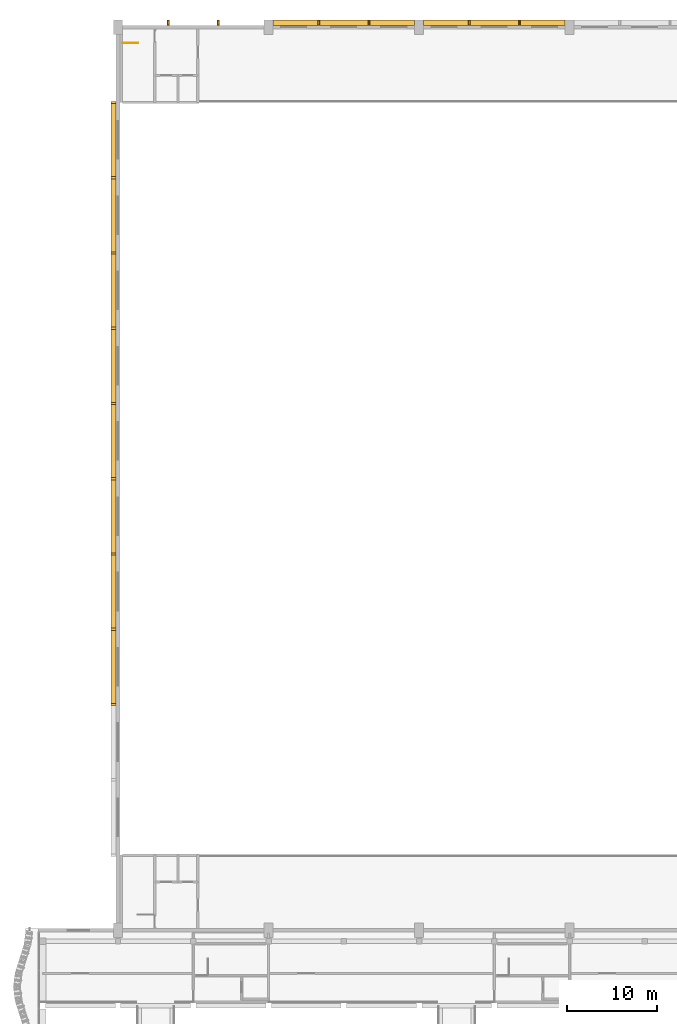
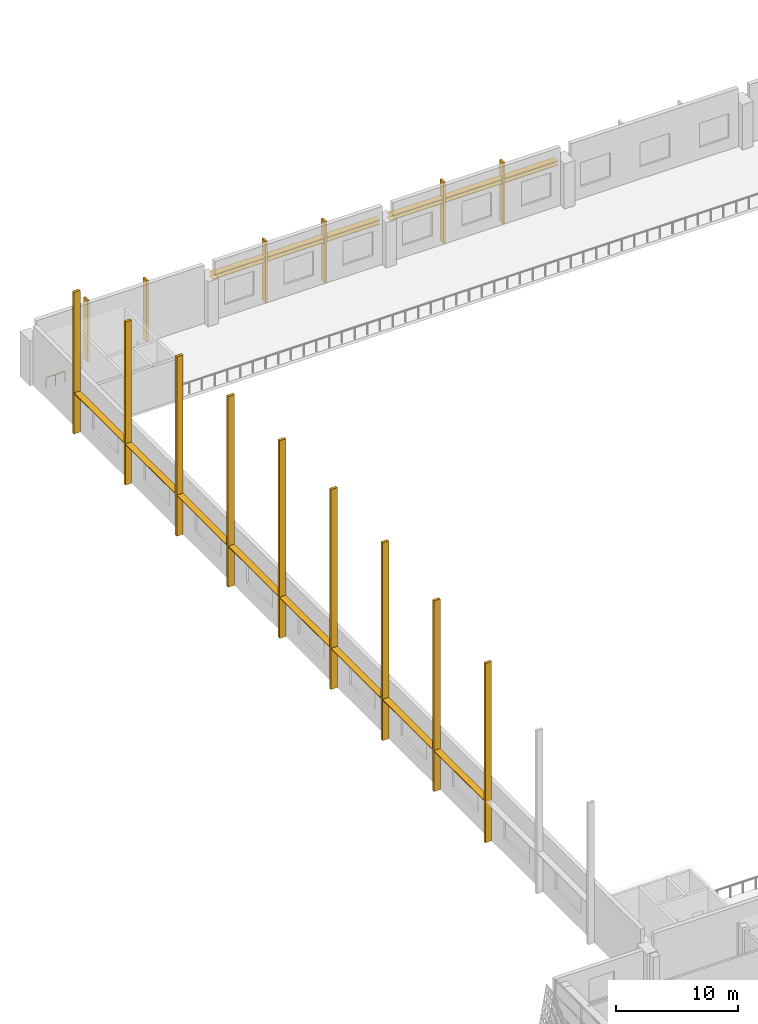
# One storey, part 154 of 162: 20 shading devices, 15 coverings, 1 railing.
"""IFC4 building model written with IfcOpenShell, lengths in metres."""

from ifc_helpers import new_model, si_unit, direction, frame, origin, origin_2d, place, context, subcontext, project, spatial, rectangle, circle, extrude, material, layer, layer_set, type_object, element, save


model = new_model("IFC4")

# Units and contexts
model_context = context("Model", 3, precision=1e-05, world=origin(), true_north=direction((0.0, 1.0)))
body_context = subcontext(model_context, "Body", "Model", "MODEL_VIEW")
ifc_project = project(units=[si_unit("LENGTHUNIT", "METRE"), si_unit("AREAUNIT", "SQUARE_METRE"), si_unit("VOLUMEUNIT", "CUBIC_METRE"), si_unit("PLANEANGLEUNIT", "RADIAN"), si_unit("MASSUNIT", "GRAM", prefix="KILO")], contexts=[model_context])

# Site, building, storey
site_placement = place(None, origin())
site = spatial("IfcSite", under=ifc_project, at=site_placement, CompositionType="ELEMENT")
building_placement = place(site_placement, origin())
building = spatial("IfcBuilding", under=site, at=building_placement, Name="Rain Tree Exposition and Congress Centre", CompositionType="ELEMENT")
storey_placement = place(building_placement, frame((0.0, 0.0, 6.0)))
storey = spatial("IfcBuildingStorey", under=building, at=storey_placement, Name="L01", CompositionType="ELEMENT", Elevation=6.0)

# Coverings
ifc_material_1 = material(Name="Precast concrete C50/60", Category="concrete")
ifc_layer_1 = layer(ifc_material_1, 0.25)
ifc_layer_set_1 = layer_set([ifc_layer_1], Name="Precast concrete C50/60")
covering_type_1 = type_object("IfcCoveringType", Name="Gable face fin 250x600", PredefinedType="CLADDING", material=ifc_layer_set_1)
covering_1_placement = place(storey_placement, frame((7.89990234375, 126.0, 0.0), z_axis=(0.0, 0.0, 1.0), x_axis=(1.0, 0.0, 0.0)))
element("IfcCovering", 1, at=covering_1_placement, inside=storey, type_object=covering_type_1, Name="Gable fin 3", PredefinedType="CLADDING", context=body_context, shape_type="SweptSolid", body=[
    extrude(rectangle(XDim=0.60009765625, YDim=0.25, at=origin_2d()), origin(), (0.0, 0.0, 1.0), 17.868896484375),
])
covering_2_placement = place(storey_placement, frame((7.89990234375, 134.39990234375, 0.0), z_axis=(0.0, 0.0, 1.0), x_axis=(1.0, 0.0, 0.0)))
element("IfcCovering", 2, at=covering_2_placement, inside=storey, type_object=covering_type_1, Name="Gable fin 4", PredefinedType="CLADDING", context=body_context, shape_type="SweptSolid", body=[
    extrude(rectangle(XDim=0.60009765625, YDim=0.25, at=origin_2d()), origin(), (0.0, 0.0, 1.0), 19.022216796875),
])
covering_3_placement = place(storey_placement, frame((7.89990234375, 142.800048828125, 0.0), z_axis=(0.0, 0.0, 1.0), x_axis=(1.0, 0.0, 0.0)))
element("IfcCovering", 3, at=covering_3_placement, inside=storey, type_object=covering_type_1, Name="Gable fin 5", PredefinedType="CLADDING", context=body_context, shape_type="SweptSolid", body=[
    extrude(rectangle(XDim=0.60009765625, YDim=0.25, at=origin_2d()), origin(), (0.0, 0.0, 1.0), 19.712646484375),
])
covering_4_placement = place(storey_placement, frame((7.89990234375, 151.199951171875, 0.0), z_axis=(0.0, 0.0, 1.0), x_axis=(1.0, 0.0, 0.0)))
element("IfcCovering", 4, at=covering_4_placement, inside=storey, type_object=covering_type_1, Name="Gable fin 6", PredefinedType="CLADDING", context=body_context, shape_type="SweptSolid", body=[
    extrude(rectangle(XDim=0.60009765625, YDim=0.25, at=origin_2d()), origin(), (0.0, 0.0, 1.0), 19.946533203125),
])
covering_5_placement = place(storey_placement, frame((7.89990234375, 159.60009765625, 0.0), z_axis=(0.0, 0.0, 1.0), x_axis=(1.0, 0.0, 0.0)))
element("IfcCovering", 5, at=covering_5_placement, inside=storey, type_object=covering_type_1, Name="Gable fin 7", PredefinedType="CLADDING", context=body_context, shape_type="SweptSolid", body=[
    extrude(rectangle(XDim=0.60009765625, YDim=0.25, at=origin_2d()), origin(), (0.0, 0.0, 1.0), 19.712646484375),
])
covering_6_placement = place(storey_placement, frame((7.89990234375, 168.0, 0.0), z_axis=(0.0, 0.0, 1.0), x_axis=(1.0, 0.0, 0.0)))
element("IfcCovering", 6, at=covering_6_placement, inside=storey, type_object=covering_type_1, Name="Gable fin 8", PredefinedType="CLADDING", context=body_context, shape_type="SweptSolid", body=[
    extrude(rectangle(XDim=0.60009765625, YDim=0.25, at=origin_2d()), origin(), (0.0, 0.0, 1.0), 19.022216796875),
])
covering_7_placement = place(storey_placement, frame((7.89990234375, 176.39990234375, 0.0), z_axis=(0.0, 0.0, 1.0), x_axis=(1.0, 0.0, 0.0)))
element("IfcCovering", 7, at=covering_7_placement, inside=storey, type_object=covering_type_1, Name="Gable fin 9", PredefinedType="CLADDING", context=body_context, shape_type="SweptSolid", body=[
    extrude(rectangle(XDim=0.60009765625, YDim=0.25, at=origin_2d()), origin(), (0.0, 0.0, 1.0), 17.868896484375),
])
covering_8_placement = place(storey_placement, frame((7.89990234375, 184.800048828125, 0.0), z_axis=(0.0, 0.0, 1.0), x_axis=(1.0, 0.0, 0.0)))
element("IfcCovering", 8, at=covering_8_placement, inside=storey, type_object=covering_type_1, Name="Gable fin 10", PredefinedType="CLADDING", context=body_context, shape_type="SweptSolid", body=[
    extrude(rectangle(XDim=0.60009765625, YDim=0.25, at=origin_2d()), origin(), (0.0, 0.0, 1.0), 16.24267578125),
])
covering_9_placement = place(storey_placement, frame((7.89990234375, 193.199951171875, 0.0), z_axis=(0.0, 0.0, 1.0), x_axis=(1.0, 0.0, 0.0)))
element("IfcCovering", 9, at=covering_9_placement, inside=storey, type_object=covering_type_1, Name="Gable fin 11", PredefinedType="CLADDING", context=body_context, shape_type="SweptSolid", body=[
    extrude(rectangle(XDim=0.60009765625, YDim=0.25, at=origin_2d()), origin(), (0.0, 0.0, 1.0), 14.127685546875),
])
ifc_material_2 = material(Name="Precast concrete C50/60", Category="concrete")
ifc_layer_2 = layer(ifc_material_2, 0.199951171875)
ifc_layer_set_2 = layer_set([ifc_layer_2], Name="Precast concrete C50/60")
covering_type_2 = type_object("IfcCoveringType", Name="North face fin 200x600", PredefinedType="CLADDING", material=ifc_layer_set_2)
for number, where, z_axis, x_axis, name in (
    (10, (14.0, 202.10009765625, -0.300048828125), (0.0, 0.0, 1.0), (1.0, 0.0, 0.0), "Facade fin N1.1"),
    (11, (19.60009765625, 202.10009765625, -0.300048828125), (0.0, 0.0, 1.0), (1.0, 0.0, 0.0), "Facade fin N1.2"),
    (12, (30.800048828125, 202.10009765625, -0.300048828125), (0.0, 0.0, 1.0), (1.0, 0.0, 0.0), "Facade fin N2.1"),
    (13, (36.39990234375, 202.10009765625, -0.300048828125), (0.0, 0.0, 1.0), (1.0, 0.0, 0.0), "Facade fin N2.2"),
    (14, (47.60009765625, 202.10009765625, -0.300048828125), (0.0, 0.0, 1.0), (1.0, 0.0, 0.0), "Facade fin N3.1"),
    (15, (53.199951171875, 202.10009765625, -0.300048828125), (0.0, 0.0, 1.0), (1.0, 0.0, 0.0), "Facade fin N3.2"),
):
    element("IfcCovering", number, at=place(storey_placement, frame(where, z_axis=z_axis, x_axis=x_axis)), inside=storey, type_object=covering_type_2, Name=name, PredefinedType="CLADDING", context=body_context, shape_type="SweptSolid", body=[
        extrude(rectangle(XDim=0.199951171875, YDim=0.60009765625, at=origin_2d()), origin(), (0.0, 0.0, 1.0), 6.10009765625),
    ])

# Railing
ifc_material_3 = material(Name="Steel S355J2H", Category="steel")
railing_type = type_object("IfcRailingType", Name="Stair guard 1100", PredefinedType="GUARDRAIL", material=ifc_material_3)
railing_placement = place(storey_placement, frame((8.89990234375, 199.85009765625, 0.0)))
element("IfcRailing", 16, at=railing_placement, inside=storey, type_object=railing_type, Name="L01 ST-H3 top well guard 1", PredefinedType="GUARDRAIL", context=body_context, shape_type="SweptSolid", body=[
    extrude(circle(Radius=0.02392578125, at=origin_2d()), frame((0.0, 0.0, 1.076171875), z_axis=(1.0, 0.0, 0.0), x_axis=(0.0, 1.0, 0.0)), (0.0, 0.0, 1.0), 1.75),
    extrude(circle(Radius=0.02099609375, at=origin_2d()), origin(), (0.0, 0.0, 1.0), 1.052001953125),
    extrude(circle(Radius=0.02099609375, at=origin_2d()), frame((0.875, 0.0, 0.0)), (0.0, 0.0, 1.0), 1.052001953125),
    extrude(circle(Radius=0.02099609375, at=origin_2d()), frame((1.75, 0.0, 0.0)), (0.0, 0.0, 1.0), 1.052001953125),
])

# Shading devices
ifc_material_4 = material(Name="Aluminium", Category="aluminium")
ifc_layer_3 = layer(ifc_material_4, 0.06005859375)
ifc_layer_set_3 = layer_set([ifc_layer_3], Name="Aluminium")
shading_device_type = type_object("IfcShadingDeviceType", Name="Sun blade 60x600", PredefinedType="JALOUSIE", material=ifc_layer_set_3)
for number, where, z_axis, x_axis, name in (
    (17, (28.199951171875, 202.10009765625, 3.75), (0.0, 0.0, 1.0), (1.0, 0.0, 0.0), "Sun blade N2.1.1"),
    (18, (28.199951171875, 202.10009765625, 4.14990234375), (0.0, 0.0, 1.0), (1.0, 0.0, 0.0), "Sun blade N2.1.2"),
):
    element("IfcShadingDevice", number, at=place(storey_placement, frame(where, z_axis=z_axis, x_axis=x_axis)), inside=storey, type_object=shading_device_type, Name=name, PredefinedType="JALOUSIE", context=body_context, shape_type="SweptSolid", body=[
        extrude(rectangle(XDim=5.0, YDim=0.60009765625, at=origin_2d()), origin(), (0.0, 0.0, 1.0), 0.06005859375),
    ])
for number, where, z_axis, x_axis, name in (
    (19, (33.60009765625, 202.10009765625, 3.75), (0.0, 0.0, 1.0), (1.0, 0.0, 0.0), "Sun blade N2.2.1"),
    (20, (33.60009765625, 202.10009765625, 4.14990234375), (0.0, 0.0, 1.0), (1.0, 0.0, 0.0), "Sun blade N2.2.2"),
):
    element("IfcShadingDevice", number, at=place(storey_placement, frame(where, z_axis=z_axis, x_axis=x_axis)), inside=storey, type_object=shading_device_type, Name=name, PredefinedType="JALOUSIE", context=body_context, shape_type="SweptSolid", body=[
        extrude(rectangle(XDim=5.39990234375, YDim=0.60009765625, at=origin_2d()), origin(), (0.0, 0.0, 1.0), 0.06005859375),
    ])
for number, where, z_axis, x_axis, name in (
    (21, (39.0, 202.10009765625, 3.75), (0.0, 0.0, 1.0), (1.0, 0.0, 0.0), "Sun blade N2.3.1"),
    (22, (39.0, 202.10009765625, 4.14990234375), (0.0, 0.0, 1.0), (1.0, 0.0, 0.0), "Sun blade N2.3.2"),
    (23, (45.0, 202.10009765625, 3.75), (0.0, 0.0, 1.0), (1.0, 0.0, 0.0), "Sun blade N3.1.1"),
    (24, (45.0, 202.10009765625, 4.14990234375), (0.0, 0.0, 1.0), (1.0, 0.0, 0.0), "Sun blade N3.1.2"),
):
    element("IfcShadingDevice", number, at=place(storey_placement, frame(where, z_axis=z_axis, x_axis=x_axis)), inside=storey, type_object=shading_device_type, Name=name, PredefinedType="JALOUSIE", context=body_context, shape_type="SweptSolid", body=[
        extrude(rectangle(XDim=5.0, YDim=0.60009765625, at=origin_2d()), origin(), (0.0, 0.0, 1.0), 0.06005859375),
    ])
for number, where, z_axis, x_axis, name in (
    (25, (50.39990234375, 202.10009765625, 3.75), (0.0, 0.0, 1.0), (1.0, 0.0, 0.0), "Sun blade N3.2.1"),
    (26, (50.39990234375, 202.10009765625, 4.14990234375), (0.0, 0.0, 1.0), (1.0, 0.0, 0.0), "Sun blade N3.2.2"),
):
    element("IfcShadingDevice", number, at=place(storey_placement, frame(where, z_axis=z_axis, x_axis=x_axis)), inside=storey, type_object=shading_device_type, Name=name, PredefinedType="JALOUSIE", context=body_context, shape_type="SweptSolid", body=[
        extrude(rectangle(XDim=5.39990234375, YDim=0.60009765625, at=origin_2d()), origin(), (0.0, 0.0, 1.0), 0.06005859375),
    ])
for number, where, z_axis, x_axis, name in (
    (27, (55.800048828125, 202.10009765625, 3.75), (0.0, 0.0, 1.0), (1.0, 0.0, 0.0), "Sun blade N3.3.1"),
    (28, (55.800048828125, 202.10009765625, 4.14990234375), (0.0, 0.0, 1.0), (1.0, 0.0, 0.0), "Sun blade N3.3.2"),
):
    element("IfcShadingDevice", number, at=place(storey_placement, frame(where, z_axis=z_axis, x_axis=x_axis)), inside=storey, type_object=shading_device_type, Name=name, PredefinedType="JALOUSIE", context=body_context, shape_type="SweptSolid", body=[
        extrude(rectangle(XDim=5.0, YDim=0.60009765625, at=origin_2d()), origin(), (0.0, 0.0, 1.0), 0.06005859375),
    ])
for number, where, z_axis, x_axis, name in (
    (29, (7.89990234375, 130.199951171875, 4.050048828125), (0.0, 0.0, 1.0), (1.0, 0.0, 0.0), "Gable sun blade 3"),
    (30, (7.89990234375, 138.60009765625, 4.050048828125), (0.0, 0.0, 1.0), (1.0, 0.0, 0.0), "Gable sun blade 4"),
    (31, (7.89990234375, 147.0, 4.050048828125), (0.0, 0.0, 1.0), (1.0, 0.0, 0.0), "Gable sun blade 5"),
    (32, (7.89990234375, 155.39990234375, 4.050048828125), (0.0, 0.0, 1.0), (1.0, 0.0, 0.0), "Gable sun blade 6"),
    (33, (7.89990234375, 163.800048828125, 4.050048828125), (0.0, 0.0, 1.0), (1.0, 0.0, 0.0), "Gable sun blade 7"),
    (34, (7.89990234375, 172.199951171875, 4.050048828125), (0.0, 0.0, 1.0), (1.0, 0.0, 0.0), "Gable sun blade 8"),
    (35, (7.89990234375, 180.60009765625, 4.050048828125), (0.0, 0.0, 1.0), (1.0, 0.0, 0.0), "Gable sun blade 9"),
    (36, (7.89990234375, 189.0, 4.050048828125), (0.0, 0.0, 1.0), (1.0, 0.0, 0.0), "Gable sun blade 10"),
):
    element("IfcShadingDevice", number, at=place(storey_placement, frame(where, z_axis=z_axis, x_axis=x_axis)), inside=storey, type_object=shading_device_type, Name=name, PredefinedType="JALOUSIE", context=body_context, shape_type="SweptSolid", body=[
        extrude(rectangle(XDim=0.60009765625, YDim=8.14990234375, at=origin_2d()), origin(), (0.0, 0.0, 1.0), 0.06005859375),
    ])

save(model, "model.ifc")
